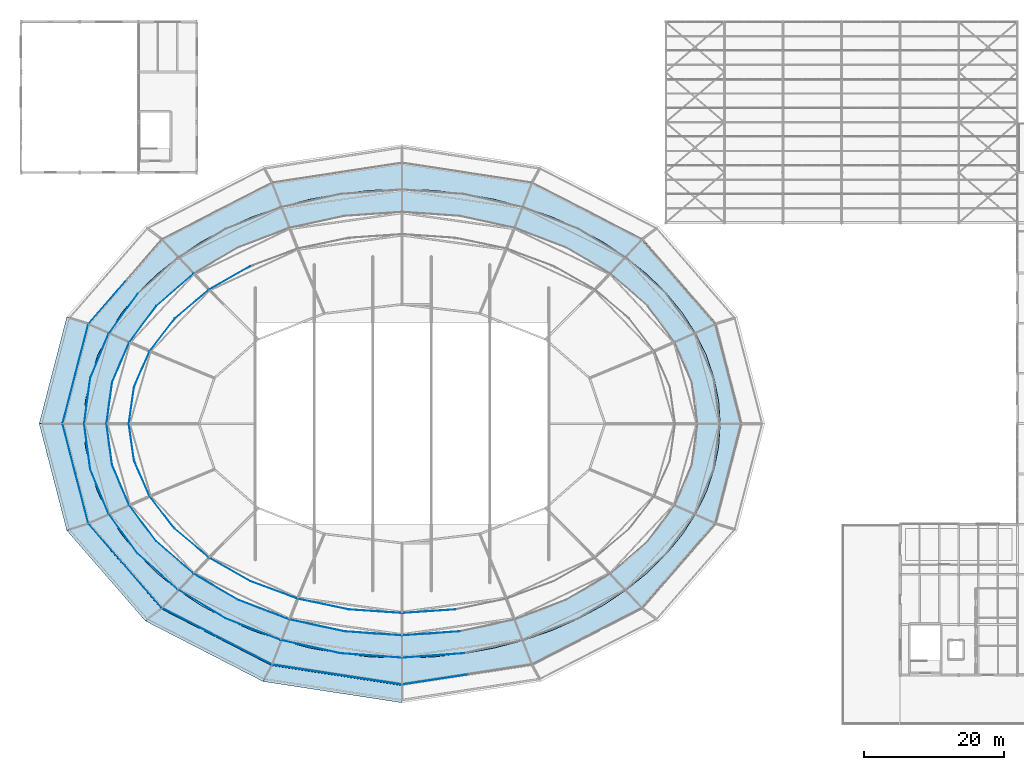
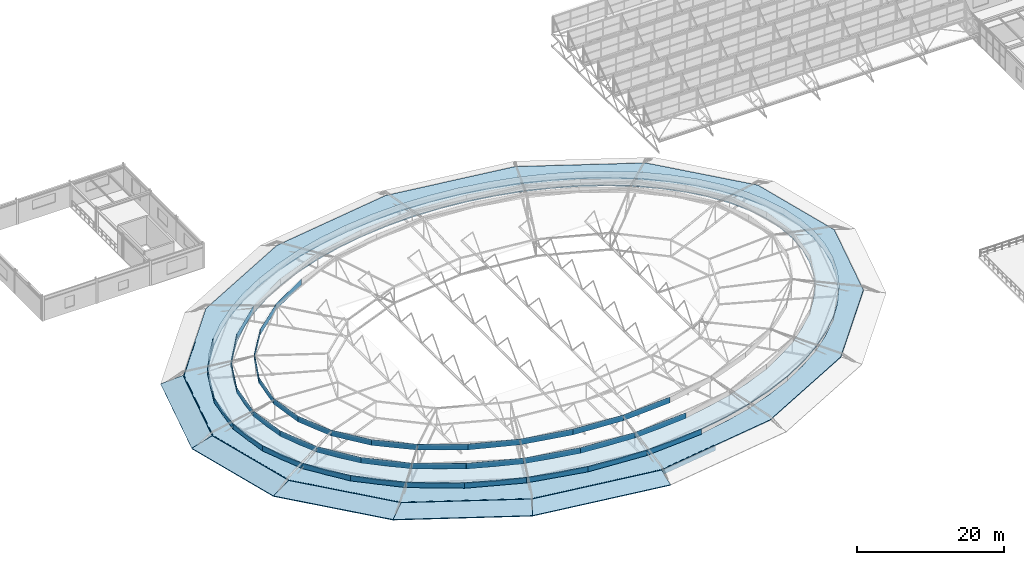
# One storey, part 103 of 134: 51 plates, 7 slabs.
"""IFC4 building model written with IfcOpenShell, lengths in metres."""

from ifc_helpers import new_model, si_unit, derived_unit, direction, frame, origin, origin_2d, place, context, subcontext, project, spatial, polyline, rectangle, outline, extrude, material, layer, layer_set, type_object, element, save


model = new_model("IFC4")

# Units and contexts
model_context = context("Model", 3, precision=1e-05, world=origin(), true_north=direction((0.0, 1.0)))
body_context = subcontext(model_context, "Body", "Model", "MODEL_VIEW")
ifc_project = project(units=[si_unit("LENGTHUNIT", "METRE"), si_unit("AREAUNIT", "SQUARE_METRE"), si_unit("VOLUMEUNIT", "CUBIC_METRE"), si_unit("PLANEANGLEUNIT", "RADIAN"), si_unit("MASSUNIT", "GRAM", prefix="KILO"), derived_unit("THERMALTRANSMITTANCEUNIT", [(si_unit("MASSUNIT", "GRAM", prefix="KILO"), 1), (si_unit("TIMEUNIT", "SECOND"), -3), (si_unit("THERMODYNAMICTEMPERATUREUNIT", "KELVIN"), -1)])], contexts=[model_context])

# Site, building, storey
site_placement = place(None, origin())
site = spatial("IfcSite", under=ifc_project, at=site_placement, CompositionType="ELEMENT")
building_placement = place(site_placement, origin())
building = spatial("IfcBuilding", under=site, at=building_placement, Name="Kharveza Railside Sports Centre", CompositionType="ELEMENT")
storey_placement = place(building_placement, frame((0.0, 0.0, 12.89990234375)))
storey = spatial("IfcBuildingStorey", under=building, at=storey_placement, Name="L03", CompositionType="ELEMENT", Elevation=12.89990234375)

# Plates
ifc_material = material(Name="Patinated architectural bronze CuSn6")
ifc_layer_1 = layer(ifc_material, 0.02490234375, Name="Patinated architectural bronze CuSn6")
ifc_layer_set_1 = layer_set([ifc_layer_1], Name="Patinated architectural bronze CuSn6")
plate_type_1 = type_object("IfcPlateType", Name="PL-BZ01", PredefinedType="SHEET", material=ifc_layer_set_1)
plate_1_placement = place(storey_placement, frame((12.26953125, 67.714111328125, -0.27978515625), z_axis=(0.0, 0.0, 1.0), x_axis=(-0.655782369422, -0.754949987718, 0.0)))
element("IfcPlate", 1, at=plate_1_placement, inside=storey, type_object=plate_type_1, Name="PLT-BZ-S1-14", PredefinedType="SHEET", context=body_context, shape_type="SweptSolid", body=[
    extrude(rectangle(XDim=8.065673828125, YDim=0.02490234375, at=origin_2d()), origin(), (0.0, 0.0, 1.0), 0.97998046875),
])
for number, where, z_axis, x_axis, name in (
    (2, (8.727294921875, 61.137451171875, -0.27978515625), (0.0, 0.0, 1.0), (-0.250346209174, -0.968156379699, 0.0), "PLT-BZ-S1-15"),
    (3, (6.8701171875, 53.954833984375, -0.27978515625), (0.0, 0.0, 1.0), (-0.250346209174, -0.968156379699, 0.0), "PLT-BZ-S1-16"),
    (4, (6.8701171875, 46.84521484375, -0.27978515625), (0.0, 0.0, 1.0), (0.250346209174, -0.968156379699, 0.0), "PLT-BZ-S1-17"),
    (5, (8.727294921875, 39.66259765625, -0.27978515625), (0.0, 0.0, 1.0), (0.250346209174, -0.968156379699, 0.0), "PLT-BZ-S1-18"),
):
    element("IfcPlate", number, at=place(storey_placement, frame(where, z_axis=z_axis, x_axis=x_axis)), inside=storey, type_object=plate_type_1, Name=name, PredefinedType="SHEET", context=body_context, shape_type="SweptSolid", body=[
        extrude(rectangle(XDim=7.4189453125, YDim=0.02490234375, at=origin_2d()), origin(), (0.0, 0.0, 1.0), 0.97998046875),
    ])
for number, where, z_axis, x_axis, name in (
    (6, (12.26953125, 33.085693359375, -0.27978515625), (0.0, 0.0, 1.0), (0.655782369422, -0.754949987718, 0.0), "PLT-BZ-S1-19"),
    (7, (17.558837890625, 26.99658203125, -0.27978515625), (0.0, 0.0, 1.0), (0.655782369422, -0.754949987718, 0.0), "PLT-BZ-S1-20"),
):
    element("IfcPlate", number, at=place(storey_placement, frame(where, z_axis=z_axis, x_axis=x_axis)), inside=storey, type_object=plate_type_1, Name=name, PredefinedType="SHEET", context=body_context, shape_type="SweptSolid", body=[
        extrude(rectangle(XDim=8.065673828125, YDim=0.02490234375, at=origin_2d()), origin(), (0.0, 0.0, 1.0), 0.97998046875),
    ])
for number, where, z_axis, x_axis, name in (
    (8, (24.117919921875, 21.951904296875, -0.27978515625), (0.0, 0.0, 1.0), (0.889400417022, -0.457128973268, 0.0), "PLT-BZ-S1-21"),
    (9, (32.03369140625, 17.88330078125, -0.27978515625), (0.0, 0.0, 1.0), (0.889400417022, -0.457128973268, 0.0), "PLT-BZ-S1-22"),
):
    element("IfcPlate", number, at=place(storey_placement, frame(where, z_axis=z_axis, x_axis=x_axis)), inside=storey, type_object=plate_type_1, Name=name, PredefinedType="SHEET", context=body_context, shape_type="SweptSolid", body=[
        extrude(rectangle(XDim=8.900390625, YDim=0.02490234375, at=origin_2d()), origin(), (0.0, 0.0, 1.0), 0.97998046875),
    ])
for number, where, z_axis, x_axis, name in (
    (10, (40.615966796875, 15.14892578125, -0.27978515625), (0.0, 0.0, 1.0), (0.988496526657, -0.151243567751, 0.0), "PLT-BZ-S1-23"),
    (11, (49.953369140625, 13.72021484375, -0.27978515625), (0.0, 0.0, 1.0), (0.988496526657, -0.151243567751, 0.0), "PLT-BZ-S1-24"),
    (12, (59.24658203125, 13.72021484375, -0.27978515625), (0.0, 0.0, 1.0), (0.988496526657, 0.151243567751, 0.0), "PLT-BZ-S1-25"),
):
    element("IfcPlate", number, at=place(storey_placement, frame(where, z_axis=z_axis, x_axis=x_axis)), inside=storey, type_object=plate_type_1, Name=name, PredefinedType="SHEET", context=body_context, shape_type="SweptSolid", body=[
        extrude(rectangle(XDim=9.446044921875, YDim=0.02490234375, at=origin_2d()), origin(), (0.0, 0.0, 1.0), 0.97998046875),
    ])
ifc_layer_2 = layer(ifc_material, 0.02490234375, Name="Patinated architectural bronze CuSn6")
ifc_layer_set_2 = layer_set([ifc_layer_2], Name="Patinated architectural bronze CuSn6")
plate_type_2 = type_object("IfcPlateType", Name="PL-BZ02", PredefinedType="SHEET", material=ifc_layer_set_2)
plate_2_placement = place(storey_placement, frame((14.621826171875, 66.13916015625, 0.670166015625), z_axis=(0.0, 0.0, 1.0), x_axis=(-0.587333320314, -0.809345149395, 0.0)))
element("IfcPlate", 13, at=plate_2_placement, inside=storey, type_object=plate_type_2, Name="PLT-BZ-S2-14", PredefinedType="SHEET", context=body_context, shape_type="SweptSolid", body=[
    extrude(rectangle(XDim=7.166748046875, YDim=0.02490234375, at=origin_2d()), origin(), (0.0, 0.0, 1.0), 0.97998046875),
])
plate_3_placement = place(storey_placement, frame((11.22119140625, 60.09228515625, 0.670166015625), z_axis=(0.0, 0.0, 1.0), x_axis=(-0.380812179537, -0.924652412486, 0.0)))
element("IfcPlate", 14, at=plate_3_placement, inside=storey, type_object=plate_type_2, Name="PLT-BZ-S2-15", PredefinedType="SHEET", context=body_context, shape_type="SweptSolid", body=[
    extrude(rectangle(XDim=6.806640625, YDim=0.02490234375, at=origin_2d()), origin(), (0.0, 0.0, 1.0), 0.97998046875),
])
for number, where, z_axis, x_axis, name in (
    (15, (9.487548828125, 53.672607421875, 0.670166015625), (0.0, 0.0, 1.0), (-0.132533184693, -0.991178568652, 0.0), "PLT-BZ-S2-16"),
    (16, (9.487548828125, 47.12744140625, 0.670166015625), (0.0, 0.0, 1.0), (0.132533184693, -0.991178568652, 0.0), "PLT-BZ-S2-17"),
):
    element("IfcPlate", number, at=place(storey_placement, frame(where, z_axis=z_axis, x_axis=x_axis)), inside=storey, type_object=plate_type_2, Name=name, PredefinedType="SHEET", context=body_context, shape_type="SweptSolid", body=[
        extrude(rectangle(XDim=6.603515625, YDim=0.02490234375, at=origin_2d()), origin(), (0.0, 0.0, 1.0), 0.97998046875),
    ])
plate_4_placement = place(storey_placement, frame((11.22119140625, 40.707763671875, 0.670166015625), z_axis=(0.0, 0.0, 1.0), x_axis=(0.380812179537, -0.924652412486, 0.0)))
element("IfcPlate", 17, at=plate_4_placement, inside=storey, type_object=plate_type_2, Name="PLT-BZ-S2-18", PredefinedType="SHEET", context=body_context, shape_type="SweptSolid", body=[
    extrude(rectangle(XDim=6.806640625, YDim=0.02490234375, at=origin_2d()), origin(), (0.0, 0.0, 1.0), 0.97998046875),
])
plate_5_placement = place(storey_placement, frame((14.621826171875, 34.660888671875, 0.670166015625), z_axis=(0.0, 0.0, 1.0), x_axis=(0.587333320314, -0.809345149395, 0.0)))
element("IfcPlate", 18, at=plate_5_placement, inside=storey, type_object=plate_type_2, Name="PLT-BZ-S2-19", PredefinedType="SHEET", context=body_context, shape_type="SweptSolid", body=[
    extrude(rectangle(XDim=7.166748046875, YDim=0.02490234375, at=origin_2d()), origin(), (0.0, 0.0, 1.0), 0.97998046875),
])
plate_6_placement = place(storey_placement, frame((19.558837890625, 29.218505859375, 0.670166015625), z_axis=(0.0, 0.0, 1.0), x_axis=(0.744218291961, -0.667936474458, 0.0)))
element("IfcPlate", 19, at=plate_6_placement, inside=storey, type_object=plate_type_2, Name="PLT-BZ-S2-20", PredefinedType="SHEET", context=body_context, shape_type="SweptSolid", body=[
    extrude(rectangle(XDim=7.611572265625, YDim=0.02490234375, at=origin_2d()), origin(), (0.0, 0.0, 1.0), 0.97998046875),
])
plate_7_placement = place(storey_placement, frame((25.842529296875, 24.59033203125, 0.670166015625), z_axis=(0.0, 0.0, 1.0), x_axis=(0.855797941238, -0.517310239384, 0.0)))
element("IfcPlate", 20, at=plate_7_placement, inside=storey, type_object=plate_type_2, Name="PLT-BZ-S2-21", PredefinedType="SHEET", context=body_context, shape_type="SweptSolid", body=[
    extrude(rectangle(XDim=8.0654296875, YDim=0.02490234375, at=origin_2d()), origin(), (0.0, 0.0, 1.0), 0.97998046875),
])
plate_8_placement = place(storey_placement, frame((33.231201171875, 20.9541015625, 0.670166015625), z_axis=(0.0, 0.0, 1.0), x_axis=(0.930487914019, -0.366322592621, 0.0)))
element("IfcPlate", 21, at=plate_8_placement, inside=storey, type_object=plate_type_2, Name="PLT-BZ-S2-22", PredefinedType="SHEET", context=body_context, shape_type="SweptSolid", body=[
    extrude(rectangle(XDim=8.46337890625, YDim=0.02490234375, at=origin_2d()), origin(), (0.0, 0.0, 1.0), 0.97998046875),
])
plate_9_placement = place(storey_placement, frame((41.441162109375, 18.44921875, 0.670166015625), z_axis=(0.0, 0.0, 1.0), x_axis=(0.975935794812, -0.218058075762, 0.0)))
element("IfcPlate", 22, at=plate_9_placement, inside=storey, type_object=plate_type_2, Name="PLT-BZ-S2-23", PredefinedType="SHEET", context=body_context, shape_type="SweptSolid", body=[
    extrude(rectangle(XDim=8.755615234375, YDim=0.02490234375, at=origin_2d()), origin(), (0.0, 0.0, 1.0), 0.97998046875),
])
for number, where, z_axis, x_axis, name in (
    (23, (50.15673828125, 17.17236328125, 0.670166015625), (0.0, 0.0, 1.0), (0.997379272756, -0.072350440745, 0.0), "PLT-BZ-S2-24"),
    (24, (59.043212890625, 17.17236328125, 0.670166015625), (0.0, 0.0, 1.0), (0.997379272756, 0.072350440745, 0.0), "PLT-BZ-S2-25"),
):
    element("IfcPlate", number, at=place(storey_placement, frame(where, z_axis=z_axis, x_axis=x_axis)), inside=storey, type_object=plate_type_2, Name=name, PredefinedType="SHEET", context=body_context, shape_type="SweptSolid", body=[
        extrude(rectangle(XDim=8.90966796875, YDim=0.02490234375, at=origin_2d()), origin(), (0.0, 0.0, 1.0), 0.97998046875),
    ])
ifc_layer_3 = layer(ifc_material, 0.02490234375, Name="Patinated architectural bronze CuSn6")
ifc_layer_set_3 = layer_set([ifc_layer_3], Name="Patinated architectural bronze CuSn6")
plate_type_3 = type_object("IfcPlateType", Name="PL-BZ03", PredefinedType="SHEET", material=ifc_layer_set_3)
plate_10_placement = place(storey_placement, frame((22.0205078125, 69.56103515625, 1.6201171875), z_axis=(0.0, 0.0, 1.0), x_axis=(-0.753230568279, -0.657756574281, 0.0)))
element("IfcPlate", 25, at=plate_10_placement, inside=storey, type_object=plate_type_3, Name="PLT-BZ-S3-13", PredefinedType="SHEET", context=body_context, shape_type="SweptSolid", body=[
    extrude(rectangle(XDim=6.9921875, YDim=0.02490234375, at=origin_2d()), origin(), (0.0, 0.0, 1.0), 0.97998046875),
])
plate_11_placement = place(storey_placement, frame((17.430419921875, 64.637939453125, 1.6201171875), z_axis=(0.0, 0.0, 1.0), x_axis=(-0.597863012289, -0.801598290004, 0.0)))
element("IfcPlate", 26, at=plate_11_placement, inside=storey, type_object=plate_type_3, Name="PLT-BZ-S3-14", PredefinedType="SHEET", context=body_context, shape_type="SweptSolid", body=[
    extrude(rectangle(XDim=6.5458984375, YDim=0.02490234375, at=origin_2d()), origin(), (0.0, 0.0, 1.0), 0.97998046875),
])
plate_12_placement = place(storey_placement, frame((14.268798828125, 59.167724609375, 1.6201171875), z_axis=(0.0, 0.0, 1.0), x_axis=(-0.389799109703, -0.920899915341, 0.0)))
element("IfcPlate", 27, at=plate_12_placement, inside=storey, type_object=plate_type_3, Name="PLT-BZ-S3-15", PredefinedType="SHEET", context=body_context, shape_type="SweptSolid", body=[
    extrude(rectangle(XDim=6.1826171875, YDim=0.02490234375, at=origin_2d()), origin(), (0.0, 0.0, 1.0), 0.97998046875),
])
for number, where, z_axis, x_axis, name in (
    (28, (12.656982421875, 53.360595703125, 1.6201171875), (0.0, 0.0, 1.0), (-0.136147854798, -0.990688529071, 0.0), "PLT-BZ-S3-16"),
    (29, (12.656982421875, 47.439453125, 1.6201171875), (0.0, 0.0, 1.0), (0.136147854798, -0.990688529071, 0.0), "PLT-BZ-S3-17"),
):
    element("IfcPlate", number, at=place(storey_placement, frame(where, z_axis=z_axis, x_axis=x_axis)), inside=storey, type_object=plate_type_3, Name=name, PredefinedType="SHEET", context=body_context, shape_type="SweptSolid", body=[
        extrude(rectangle(XDim=5.9765625, YDim=0.02490234375, at=origin_2d()), origin(), (0.0, 0.0, 1.0), 0.97998046875),
    ])
plate_13_placement = place(storey_placement, frame((14.268798828125, 41.63232421875, 1.6201171875), z_axis=(0.0, 0.0, 1.0), x_axis=(0.389799109703, -0.920899915341, 0.0)))
element("IfcPlate", 30, at=plate_13_placement, inside=storey, type_object=plate_type_3, Name="PLT-BZ-S3-18", PredefinedType="SHEET", context=body_context, shape_type="SweptSolid", body=[
    extrude(rectangle(XDim=6.1826171875, YDim=0.02490234375, at=origin_2d()), origin(), (0.0, 0.0, 1.0), 0.97998046875),
])
plate_14_placement = place(storey_placement, frame((17.430419921875, 36.162109375, 1.6201171875), z_axis=(0.0, 0.0, 1.0), x_axis=(0.597863012289, -0.801598290004, 0.0)))
element("IfcPlate", 31, at=plate_14_placement, inside=storey, type_object=plate_type_3, Name="PLT-BZ-S3-19", PredefinedType="SHEET", context=body_context, shape_type="SweptSolid", body=[
    extrude(rectangle(XDim=6.5458984375, YDim=0.02490234375, at=origin_2d()), origin(), (0.0, 0.0, 1.0), 0.97998046875),
])
plate_15_placement = place(storey_placement, frame((22.0205078125, 31.239013671875, 1.6201171875), z_axis=(0.0, 0.0, 1.0), x_axis=(0.753230568279, -0.657756574281, 0.0)))
element("IfcPlate", 32, at=plate_15_placement, inside=storey, type_object=plate_type_3, Name="PLT-BZ-S3-20", PredefinedType="SHEET", context=body_context, shape_type="SweptSolid", body=[
    extrude(rectangle(XDim=6.9921875, YDim=0.02490234375, at=origin_2d()), origin(), (0.0, 0.0, 1.0), 0.97998046875),
])
plate_16_placement = place(storey_placement, frame((27.86279296875, 27.052001953125, 1.6201171875), z_axis=(0.0, 0.0, 1.0), x_axis=(0.861974431214, -0.506951753063, 0.0)))
element("IfcPlate", 33, at=plate_16_placement, inside=storey, type_object=plate_type_3, Name="PLT-BZ-S3-21", PredefinedType="SHEET", context=body_context, shape_type="SweptSolid", body=[
    extrude(rectangle(XDim=7.4453125, YDim=0.02490234375, at=origin_2d()), origin(), (0.0, 0.0, 1.0), 0.97998046875),
])
plate_17_placement = place(storey_placement, frame((34.732421875, 23.7626953125, 1.6201171875), z_axis=(0.0, 0.0, 1.0), x_axis=(0.933830386995, -0.357716100175, 0.0)))
element("IfcPlate", 34, at=plate_17_placement, inside=storey, type_object=plate_type_3, Name="PLT-BZ-S3-22", PredefinedType="SHEET", context=body_context, shape_type="SweptSolid", body=[
    extrude(rectangle(XDim=7.840576171875, YDim=0.02490234375, at=origin_2d()), origin(), (0.0, 0.0, 1.0), 0.97998046875),
])
plate_18_placement = place(storey_placement, frame((42.365478515625, 21.49658203125, 1.6201171875), z_axis=(0.0, 0.0, 1.0), x_axis=(0.977175524989, -0.212433503388, 0.0)))
element("IfcPlate", 35, at=plate_18_placement, inside=storey, type_object=plate_type_3, Name="PLT-BZ-S3-23", PredefinedType="SHEET", context=body_context, shape_type="SweptSolid", body=[
    extrude(rectangle(XDim=8.130126953125, YDim=0.02490234375, at=origin_2d()), origin(), (0.0, 0.0, 1.0), 0.97998046875),
])
for number, where, z_axis, x_axis, name in (
    (36, (50.468994140625, 20.341552734375, 1.6201171875), (0.0, 0.0, 1.0), (0.997518795495, -0.07040065791, 0.0), "PLT-BZ-S3-24"),
    (37, (58.73095703125, 20.341552734375, 1.6201171875), (0.0, 0.0, 1.0), (0.997518795495, 0.07040065791, 0.0), "PLT-BZ-S3-25"),
):
    element("IfcPlate", number, at=place(storey_placement, frame(where, z_axis=z_axis, x_axis=x_axis)), inside=storey, type_object=plate_type_3, Name=name, PredefinedType="SHEET", context=body_context, shape_type="SweptSolid", body=[
        extrude(rectangle(XDim=8.28271484375, YDim=0.02490234375, at=origin_2d()), origin(), (0.0, 0.0, 1.0), 0.97998046875),
    ])
ifc_layer_4 = layer(ifc_material, 0.02490234375, Name="Patinated architectural bronze CuSn6")
ifc_layer_set_4 = layer_set([ifc_layer_4], Name="Patinated architectural bronze CuSn6")
plate_type_4 = type_object("IfcPlateType", Name="PL-BZ04", PredefinedType="SHEET", material=ifc_layer_set_4)
plate_19_placement = place(storey_placement, frame((29.883056640625, 71.2861328125, 2.570068359375), z_axis=(0.0, 0.0, 1.0), x_axis=(-0.869106720336, -0.494624613891, 0.0)))
element("IfcPlate", 38, at=plate_19_placement, inside=storey, type_object=plate_type_4, Name="PLT-BZ-S4-12", PredefinedType="SHEET", context=body_context, shape_type="SweptSolid", body=[
    extrude(rectangle(XDim=6.826171875, YDim=0.02490234375, at=origin_2d()), origin(), (0.0, 0.0, 1.0), 0.97998046875),
])
plate_20_placement = place(storey_placement, frame((24.482421875, 67.540771484375, 2.570068359375), z_axis=(0.0, 0.0, 1.0), x_axis=(-0.763818558893, -0.64543102582, 0.0)))
element("IfcPlate", 39, at=plate_20_placement, inside=storey, type_object=plate_type_4, Name="PLT-BZ-S4-13", PredefinedType="SHEET", context=body_context, shape_type="SweptSolid", body=[
    extrude(rectangle(XDim=6.374267578125, YDim=0.02490234375, at=origin_2d()), origin(), (0.0, 0.0, 1.0), 0.97998046875),
])
plate_21_placement = place(storey_placement, frame((20.239013671875, 63.13671875, 2.570068359375), z_axis=(0.0, 0.0, 1.0), x_axis=(-0.610476983873, -0.792033996847, 0.0)))
element("IfcPlate", 40, at=plate_21_placement, inside=storey, type_object=plate_type_4, Name="PLT-BZ-S4-14", PredefinedType="SHEET", context=body_context, shape_type="SweptSolid", body=[
    extrude(rectangle(XDim=5.92626953125, YDim=0.02490234375, at=origin_2d()), origin(), (0.0, 0.0, 1.0), 0.97998046875),
])
plate_22_placement = place(storey_placement, frame((17.316162109375, 58.243408203125, 2.570068359375), z_axis=(0.0, 0.0, 1.0), x_axis=(-0.400764823539, -0.916180962591, 0.0)))
element("IfcPlate", 41, at=plate_22_placement, inside=storey, type_object=plate_type_4, Name="PLT-BZ-S4-15", PredefinedType="SHEET", context=body_context, shape_type="SweptSolid", body=[
    extrude(rectangle(XDim=5.55908203125, YDim=0.02490234375, at=origin_2d()), origin(), (0.0, 0.0, 1.0), 0.97998046875),
])
for number, where, z_axis, x_axis, name in (
    (42, (15.826171875, 53.04833984375, 2.570068359375), (0.0, 0.0, 1.0), (-0.140607479807, -0.990065420375, 0.0), "PLT-BZ-S4-16"),
    (43, (15.826171875, 47.751708984375, 2.570068359375), (0.0, 0.0, 1.0), (0.140607479807, -0.990065420375, 0.0), "PLT-BZ-S4-17"),
):
    element("IfcPlate", number, at=place(storey_placement, frame(where, z_axis=z_axis, x_axis=x_axis)), inside=storey, type_object=plate_type_4, Name=name, PredefinedType="SHEET", context=body_context, shape_type="SweptSolid", body=[
        extrude(rectangle(XDim=5.349853515625, YDim=0.02490234375, at=origin_2d()), origin(), (0.0, 0.0, 1.0), 0.97998046875),
    ])
plate_23_placement = place(storey_placement, frame((17.316162109375, 42.556640625, 2.570068359375), z_axis=(0.0, 0.0, 1.0), x_axis=(0.400764823539, -0.916180962591, 0.0)))
element("IfcPlate", 44, at=plate_23_placement, inside=storey, type_object=plate_type_4, Name="PLT-BZ-S4-18", PredefinedType="SHEET", context=body_context, shape_type="SweptSolid", body=[
    extrude(rectangle(XDim=5.55908203125, YDim=0.02490234375, at=origin_2d()), origin(), (0.0, 0.0, 1.0), 0.97998046875),
])
plate_24_placement = place(storey_placement, frame((20.239013671875, 37.6630859375, 2.570068359375), z_axis=(0.0, 0.0, 1.0), x_axis=(0.610476983873, -0.792033996847, 0.0)))
element("IfcPlate", 45, at=plate_24_placement, inside=storey, type_object=plate_type_4, Name="PLT-BZ-S4-19", PredefinedType="SHEET", context=body_context, shape_type="SweptSolid", body=[
    extrude(rectangle(XDim=5.92626953125, YDim=0.02490234375, at=origin_2d()), origin(), (0.0, 0.0, 1.0), 0.97998046875),
])
plate_25_placement = place(storey_placement, frame((24.482421875, 33.25927734375, 2.570068359375), z_axis=(0.0, 0.0, 1.0), x_axis=(0.763818558893, -0.64543102582, 0.0)))
element("IfcPlate", 46, at=plate_25_placement, inside=storey, type_object=plate_type_4, Name="PLT-BZ-S4-20", PredefinedType="SHEET", context=body_context, shape_type="SweptSolid", body=[
    extrude(rectangle(XDim=6.374267578125, YDim=0.02490234375, at=origin_2d()), origin(), (0.0, 0.0, 1.0), 0.97998046875),
])
plate_26_placement = place(storey_placement, frame((29.883056640625, 29.513916015625, 2.570068359375), z_axis=(0.0, 0.0, 1.0), x_axis=(0.869106720336, -0.494624613891, 0.0)))
element("IfcPlate", 47, at=plate_26_placement, inside=storey, type_object=plate_type_4, Name="PLT-BZ-S4-21", PredefinedType="SHEET", context=body_context, shape_type="SweptSolid", body=[
    extrude(rectangle(XDim=6.826171875, YDim=0.02490234375, at=origin_2d()), origin(), (0.0, 0.0, 1.0), 0.97998046875),
])
plate_27_placement = place(storey_placement, frame((36.233642578125, 26.571044921875, 2.570068359375), z_axis=(0.0, 0.0, 1.0), x_axis=(0.93765256575, -0.347573971899, 0.0)))
element("IfcPlate", 48, at=plate_27_placement, inside=storey, type_object=plate_type_4, Name="PLT-BZ-S4-22", PredefinedType="SHEET", context=body_context, shape_type="SweptSolid", body=[
    extrude(rectangle(XDim=7.218505859375, YDim=0.02490234375, at=origin_2d()), origin(), (0.0, 0.0, 1.0), 0.97998046875),
])
plate_28_placement = place(storey_placement, frame((43.2900390625, 24.544189453125, 2.570068359375), z_axis=(0.0, 0.0, 1.0), x_axis=(0.978580904325, -0.20586260877, 0.0)))
element("IfcPlate", 49, at=plate_28_placement, inside=storey, type_object=plate_type_4, Name="PLT-BZ-S4-23", PredefinedType="SHEET", context=body_context, shape_type="SweptSolid", body=[
    extrude(rectangle(XDim=7.5048828125, YDim=0.02490234375, at=origin_2d()), origin(), (0.0, 0.0, 1.0), 0.97998046875),
])
for number, where, z_axis, x_axis, name in (
    (50, (50.781005859375, 23.5107421875, 2.570068359375), (0.0, 0.0, 1.0), (0.997675961754, -0.068137180286, 0.0), "PLT-BZ-S4-24"),
    (51, (58.4189453125, 23.5107421875, 2.570068359375), (0.0, 0.0, 1.0), (0.997675961754, 0.068137180286, 0.0), "PLT-BZ-S4-25"),
):
    element("IfcPlate", number, at=place(storey_placement, frame(where, z_axis=z_axis, x_axis=x_axis)), inside=storey, type_object=plate_type_4, Name=name, PredefinedType="SHEET", context=body_context, shape_type="SweptSolid", body=[
        extrude(rectangle(XDim=7.655517578125, YDim=0.02490234375, at=origin_2d()), origin(), (0.0, 0.0, 1.0), 0.97998046875),
    ])

# Slabs
ifc_layer_5 = layer(ifc_material, 0.169921875, Name="Patinated architectural bronze CuSn6")
ifc_layer_set_5 = layer_set([ifc_layer_5], Name="Patinated architectural bronze CuSn6")
slab_type = type_object("IfcSlabType", Name="SL-RF170", PredefinedType="ROOF", material=ifc_layer_set_5)
slab_1_placement = place(storey_placement, frame((6.558349609375, 65.707275390625, -0.25), z_axis=(-0.283891926849, 0.07340921077, 0.956042081524), x_axis=(-0.250349887988, -0.968155428422, -8.22332e-07)))
element("IfcSlab", 52, at=slab_1_placement, inside=storey, type_object=slab_type, Name="Elliptical Bronze Lid Sloped Rim 08", PredefinedType="ROOF", context=body_context, shape_type="SweptSolid", body=[
    extrude(outline(polyline([(0.0, 0.0), (15.810864243311565, -4.440892098500626e-16), (15.00975604448859, 3.2404913651905964), (0.17179044157389084, 3.2404054136894316), (0.0, 0.0)])), origin(), (0.0, 0.0, -1.0), 0.169921875),
])
slab_2_placement = place(storey_placement, frame((2.60009765625, 50.39990234375, -0.25), z_axis=(-0.283891739172, -0.073410370244, 0.956042048223), x_axis=(0.250353640888, -0.968154457973, 7.87943e-07)))
element("IfcSlab", 53, at=slab_2_placement, inside=storey, type_object=slab_type, Name="Elliptical Bronze Lid Sloped Rim 09", PredefinedType="ROOF", context=body_context, shape_type="SweptSolid", body=[
    extrude(outline(polyline([(0.0, 0.0), (15.810627877374207, -8.881784197001252e-16), (15.638849411877239, 3.2404060485825825), (0.8011201752420621, 3.2404884043815816), (0.0, 0.0)])), origin(), (0.0, 0.0, -1.0), 0.169921875),
])
slab_3_placement = place(storey_placement, frame((6.558349609375, 35.0927734375, -0.25), z_axis=(-0.238814241914, -0.207441147021, 0.948649528742), x_axis=(0.655775407035, -0.754956035494, -4.63033e-07)))
element("IfcSlab", 54, at=slab_3_placement, inside=storey, type_object=slab_type, Name="Elliptical Bronze Lid Sloped Rim 10", PredefinedType="ROOF", context=body_context, shape_type="SweptSolid", body=[
    extrude(outline(polyline([(0.0, 0.0), (17.189145368366102, 3.552713678800501e-15), (17.358980107926538, 3.0038446753496957), (1.2275786661925785, 3.0037959017395535), (0.0, 0.0)])), origin(), (0.0, 0.0, -1.0), 0.169921875),
])
slab_4_placement = place(storey_placement, frame((17.83056640625, 22.11572265625, -0.25), z_axis=(-0.157856688647, -0.307124190476, 0.938486013467), x_axis=(0.889395936536, -0.457137690496, -1.007678e-06)))
element("IfcSlab", 55, at=slab_4_placement, inside=storey, type_object=slab_type, Name="Elliptical Bronze Lid Sloped Rim 11", PredefinedType="ROOF", context=body_context, shape_type="SweptSolid", body=[
    extrude(outline(polyline([(0.0, 0.0), (18.96779102401502, 0.0), (19.017343882610533, 2.751714483842034), (1.2167927300739945, 2.751607189277376), (0.0, 0.0)])), origin(), (0.0, 0.0, -1.0), 0.169921875),
])
slab_5_placement = place(storey_placement, frame((34.700439453125, 13.44482421875, -0.25), z_axis=(-0.055017047798, -0.35956335151, 0.931497354104), x_axis=(0.988495088354, -0.151252967901, -1.011855e-06)))
element("IfcSlab", 56, at=slab_5_placement, inside=storey, type_object=slab_type, Name="Elliptical Bronze Lid Sloped Rim 12", PredefinedType="ROOF", context=body_context, shape_type="SweptSolid", body=[
    extrude(outline(polyline([(0.0, 0.0), (20.131267864334216, 0.0), (19.758932021197968, 2.612289408851717), (0.8665444406850343, 2.6121808548864798), (0.0, 0.0)])), origin(), (0.0, 0.0, -1.0), 0.169921875),
])
slab_6_placement = place(storey_placement, frame((0.0, 0.0, 0.530029296875)))
element("IfcSlab", 57, at=slab_6_placement, inside=storey, type_object=slab_type, Name="Elliptical Bronze Lid Step 1", PredefinedType="ROOF", context=body_context, shape_type="SweptSolid", body=[
    extrude(outline(polyline([(99.630859375, 36.063232421875), (89.069091796875, 23.904296875), (73.256103515625, 15.77685546875), (54.60009765625, 12.922119140625), (35.94384765625, 15.77685546875), (20.130859375, 23.904296875), (9.5693359375, 36.063232421875), (5.862060546875, 50.39990234375), (9.5693359375, 64.736572265625), (20.130859375, 76.8955078125), (35.94384765625, 85.023193359375), (54.60009765625, 87.877685546875), (73.256103515625, 85.023193359375), (89.069091796875, 76.8955078125), (99.630859375, 64.736572265625), (103.338134765625, 50.39990234375), (99.630859375, 36.063232421875)]), holes=[polyline([(99.781494140625, 53.673828125), (99.127685546875, 56.916015625), (98.045166015625, 60.095458984375), (96.544189453125, 63.181640625), (94.63916015625, 66.14453125), (92.3486328125, 68.9560546875), (89.694580078125, 71.588623046875), (86.70263671875, 74.017333984375), (83.4013671875, 76.218505859375), (79.822998046875, 78.171142578125), (76.00146484375, 79.856201171875), (71.973876953125, 81.257568359375), (67.77880859375, 82.36181640625), (63.45703125, 83.158203125), (59.050048828125, 83.63916015625), (54.60009765625, 83.800048828125), (50.14990234375, 83.63916015625), (45.742919921875, 83.158203125), (41.421142578125, 82.36181640625), (37.22607421875, 81.257568359375), (33.198486328125, 79.856201171875), (29.377197265625, 78.171142578125), (25.798583984375, 76.218505859375), (22.497314453125, 74.017333984375), (19.50537109375, 71.588623046875), (16.851318359375, 68.9560546875), (14.560791015625, 66.14453125), (12.65576171875, 63.181640625), (11.155029296875, 60.095458984375), (10.072265625, 56.916015625), (9.418701171875, 53.673828125), (9.199951171875, 50.39990234375), (9.418701171875, 47.126220703125), (10.072265625, 43.884033203125), (11.155029296875, 40.70458984375), (12.65576171875, 37.618408203125), (14.560791015625, 34.6552734375), (16.851318359375, 31.843994140625), (19.50537109375, 29.211181640625), (22.497314453125, 26.78271484375), (25.798583984375, 24.58154296875), (29.377197265625, 22.62890625), (33.198486328125, 20.94384765625), (37.22607421875, 19.54248046875), (41.421142578125, 18.438232421875), (45.742919921875, 17.641845703125), (50.14990234375, 17.160888671875), (54.60009765625, 17.0), (59.050048828125, 17.160888671875), (63.45703125, 17.641845703125), (67.77880859375, 18.438232421875), (71.973876953125, 19.54248046875), (76.00146484375, 20.94384765625), (79.822998046875, 22.62890625), (83.4013671875, 24.58154296875), (86.70263671875, 26.78271484375), (89.694580078125, 29.211181640625), (92.3486328125, 31.843994140625), (94.63916015625, 34.6552734375), (96.544189453125, 37.618408203125), (98.045166015625, 40.70458984375), (99.127685546875, 43.884033203125), (99.781494140625, 47.126220703125), (100.0, 50.39990234375), (99.781494140625, 53.673828125)])]), origin(), (0.0, 0.0, 1.0), 0.170166015625),
])
slab_7_placement = place(storey_placement, frame((0.0, 0.0, 1.47998046875)))
element("IfcSlab", 58, at=slab_7_placement, inside=storey, type_object=slab_type, Name="Elliptical Bronze Lid Step 2", PredefinedType="ROOF", context=body_context, shape_type="SweptSolid", body=[
    extrude(outline(polyline([(99.98046875, 47.106689453125), (99.32373046875, 43.844970703125), (98.236572265625, 40.646484375), (96.72900390625, 37.541748046875), (94.815673828125, 34.56103515625), (92.514892578125, 31.73291015625), (89.849365234375, 29.08447265625), (86.843994140625, 26.64111328125), (83.5283203125, 24.4267578125), (79.93408203125, 22.462646484375), (76.095703125, 20.767333984375), (72.05029296875, 19.357666015625), (67.8369140625, 18.246826171875), (63.49609375, 17.445556640625), (59.069580078125, 16.961669921875), (54.60009765625, 16.800048828125), (50.13037109375, 16.961669921875), (45.703857421875, 17.445556640625), (41.363037109375, 18.246826171875), (37.149658203125, 19.357666015625), (33.104248046875, 20.767333984375), (29.26611328125, 22.462646484375), (25.671630859375, 24.4267578125), (22.35595703125, 26.64111328125), (19.350830078125, 29.08447265625), (16.68505859375, 31.73291015625), (14.38427734375, 34.56103515625), (12.47119140625, 37.541748046875), (10.963623046875, 40.646484375), (9.876220703125, 43.844970703125), (9.219482421875, 47.106689453125), (9.0, 50.39990234375), (9.219482421875, 53.693359375), (9.876220703125, 56.955078125), (10.963623046875, 60.153564453125), (12.47119140625, 63.258056640625), (14.38427734375, 66.239013671875), (16.68505859375, 69.067138671875), (19.350830078125, 71.715576171875), (22.35595703125, 74.15869140625), (25.671630859375, 76.373046875), (29.26611328125, 78.33740234375), (33.104248046875, 80.032470703125), (37.149658203125, 81.4423828125), (41.363037109375, 82.55322265625), (45.703857421875, 83.3544921875), (50.13037109375, 83.838134765625), (54.60009765625, 84.0), (59.069580078125, 83.838134765625), (63.49609375, 83.3544921875), (67.8369140625, 82.55322265625), (72.05029296875, 81.4423828125), (76.095703125, 80.032470703125), (79.93408203125, 78.33740234375), (83.5283203125, 76.373046875), (86.843994140625, 74.15869140625), (89.849365234375, 71.715576171875), (92.514892578125, 69.067138671875), (94.815673828125, 66.239013671875), (96.72900390625, 63.258056640625), (98.236572265625, 60.153564453125), (99.32373046875, 56.955078125), (99.98046875, 53.693359375), (100.199951171875, 50.39990234375), (99.98046875, 47.106689453125)]), holes=[polyline([(96.5966796875, 53.360107421875), (95.9892578125, 56.291748046875), (94.98291015625, 59.16650390625), (93.587646484375, 61.95703125), (91.817138671875, 64.63623046875), (89.68798828125, 67.17822265625), (87.220947265625, 69.55859375), (84.43994140625, 71.754638671875), (81.371337890625, 73.744873046875), (78.045166015625, 75.510498046875), (74.492919921875, 77.033935546875), (70.749267578125, 78.30126953125), (66.85009765625, 79.299560546875), (62.832763671875, 80.019775390625), (58.736328125, 80.45458984375), (54.60009765625, 80.60009765625), (50.463623046875, 80.45458984375), (46.3671875, 80.019775390625), (42.35009765625, 79.299560546875), (38.45068359375, 78.30126953125), (34.70703125, 77.033935546875), (31.155029296875, 75.510498046875), (27.82861328125, 73.744873046875), (24.760009765625, 71.754638671875), (21.97900390625, 69.55859375), (19.511962890625, 67.17822265625), (17.3828125, 64.63623046875), (15.6123046875, 61.95703125), (14.217041015625, 59.16650390625), (13.2109375, 56.291748046875), (12.603271484375, 53.360107421875), (12.39990234375, 50.39990234375), (12.603271484375, 47.43994140625), (13.2109375, 44.50830078125), (14.217041015625, 41.63330078125), (15.6123046875, 38.843017578125), (17.3828125, 36.163818359375), (19.511962890625, 33.621826171875), (21.97900390625, 31.2412109375), (24.760009765625, 29.04541015625), (27.82861328125, 27.05517578125), (31.155029296875, 25.28955078125), (34.70703125, 23.765869140625), (38.45068359375, 22.498779296875), (42.35009765625, 21.50048828125), (46.3671875, 20.7802734375), (50.463623046875, 20.345458984375), (54.60009765625, 20.199951171875), (58.736328125, 20.345458984375), (62.832763671875, 20.7802734375), (66.85009765625, 21.50048828125), (70.749267578125, 22.498779296875), (74.492919921875, 23.765869140625), (78.045166015625, 25.28955078125), (81.371337890625, 27.05517578125), (84.43994140625, 29.04541015625), (87.220947265625, 31.2412109375), (89.68798828125, 33.621826171875), (91.817138671875, 36.163818359375), (93.587646484375, 38.843017578125), (94.98291015625, 41.63330078125), (95.9892578125, 44.50830078125), (96.5966796875, 47.43994140625), (96.800048828125, 50.39990234375), (96.5966796875, 53.360107421875)])]), origin(), (0.0, 0.0, 1.0), 0.170166015625),
])

save(model, "model.ifc")
